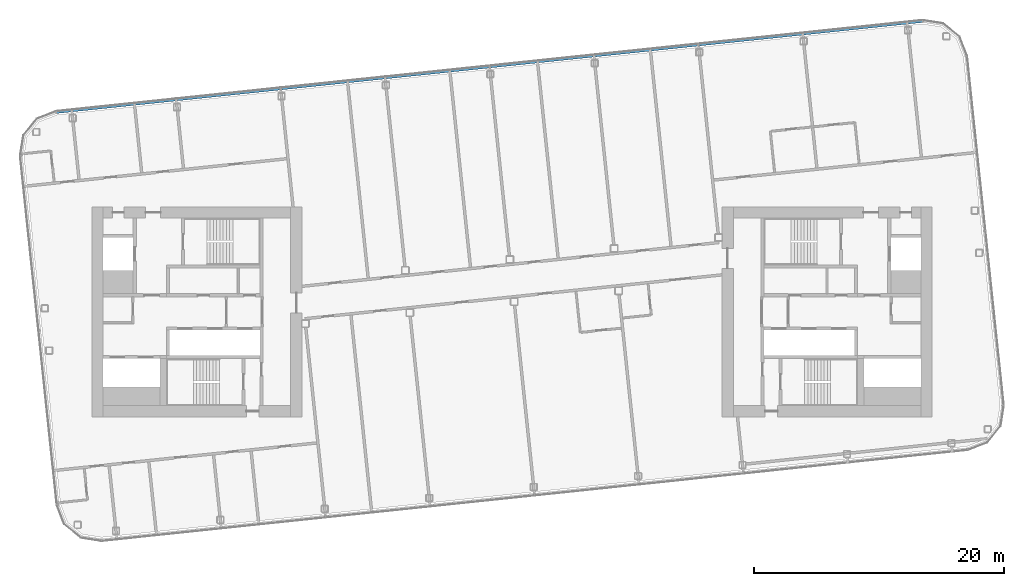
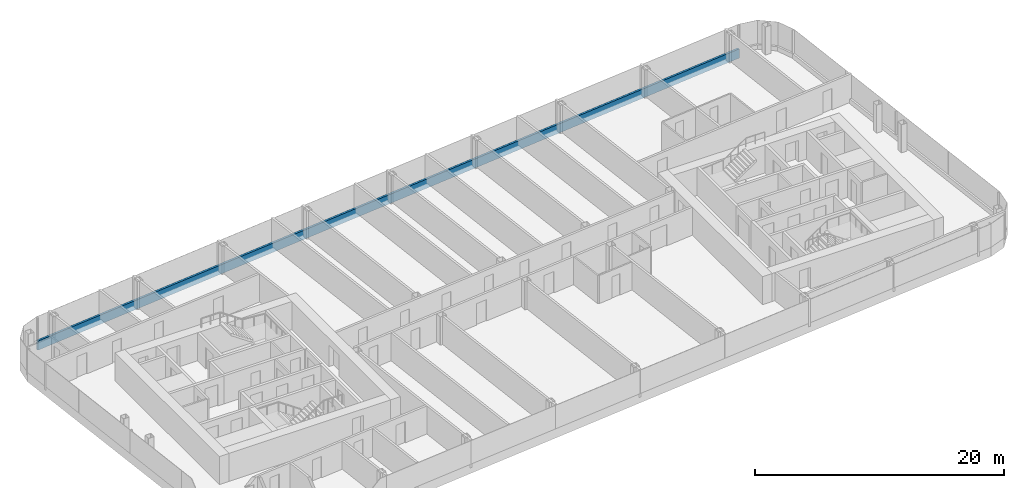
# One storey, part 10 of 27: 1 member, 1 element without a shape of its own.
"""IFC4 building model written with IfcOpenShell, lengths in metres."""

from ifc_helpers import new_model, si_unit, direction, frame, origin, origin_2d, place, context, subcontext, project, spatial, rectangle, extrude, material, layer, layer_set, material_profile, profile_set, type_object, element, aggregate, save


model = new_model("IFC4")

# Units and contexts
model_context = context("Model", 3, precision=1e-05, world=origin(), true_north=direction((0.0, 1.0)))
body_context = subcontext(model_context, "Body", "Model", "MODEL_VIEW")
ifc_project = project(units=[si_unit("LENGTHUNIT", "METRE"), si_unit("AREAUNIT", "SQUARE_METRE"), si_unit("VOLUMEUNIT", "CUBIC_METRE"), si_unit("PLANEANGLEUNIT", "RADIAN"), si_unit("MASSUNIT", "GRAM", prefix="KILO")], contexts=[model_context])

# Site, building, storey
site_placement = place(None, origin())
site = spatial("IfcSite", under=ifc_project, at=site_placement, CompositionType="ELEMENT")
building_placement = place(site_placement, origin())
building = spatial("IfcBuilding", under=site, at=building_placement, Name="Hakoniwa Tower and Hamabe Station Hall", CompositionType="ELEMENT")
storey_placement = place(building_placement, frame((0.0, 0.0, 239.0)))
storey = spatial("IfcBuildingStorey", under=building, at=storey_placement, Name="L67", CompositionType="ELEMENT", Elevation=239.0)

# Curtain wall, member
ifc_material_1 = material(Name="Dark low-e laminated glass", Category="glass")
ifc_layer = layer(ifc_material_1, 0.199951171875)
ifc_layer_set = layer_set([ifc_layer], Name="CW-1 UNITISED GUEST")
curtain_wall_type = type_object("IfcCurtainWallType", Name="CW-1 UNITISED GUEST", PredefinedType="NOTDEFINED", material=ifc_layer_set)
curtain_wall_placement = place(storey_placement, origin())
curtain_wall = element("IfcCurtainWall", 1, at=curtain_wall_placement, inside=storey, type_object=curtain_wall_type, Name="CW-1 curtain wall", PredefinedType="NOTDEFINED")
ifc_material_2 = material(Name="Aluminium 6063-T5 black anodised", Category="aluminium")
ifc_material_profile = material_profile(ifc_material_2, rectangle(XDim=0.199951171875, YDim=0.89990234375, at=origin_2d()), Name="CW SLAB-EDGE BAND 900X200")
ifc_profile_set = profile_set([ifc_material_profile], Name="Aluminium 6063-T5 black anodised")
member_type = type_object("IfcMemberType", Name="CW SLAB-EDGE BAND 900X200", PredefinedType="USERDEFINED", material=ifc_profile_set)
member_placement = place(storey_placement, frame((32.850830078125, 23.24755859375, -0.10009765625), z_axis=(-0.994521894037, -0.10452847593, 0.0), x_axis=(0.10452847593, -0.994521894037, 0.0)))
member = element("IfcMember", 2, at=member_placement, type_object=member_type, Name="CW-1 transom", ObjectType="TRANSOM", PredefinedType="USERDEFINED", context=body_context, shape_type="SweptSolid", body=[
    extrude(rectangle(XDim=0.199951171875, YDim=0.89990234375, at=origin_2d()), origin(), (0.0, 0.0, 1.0), 69.678955078125),
])
aggregate(curtain_wall, [member])

save(model, "model.ifc")
